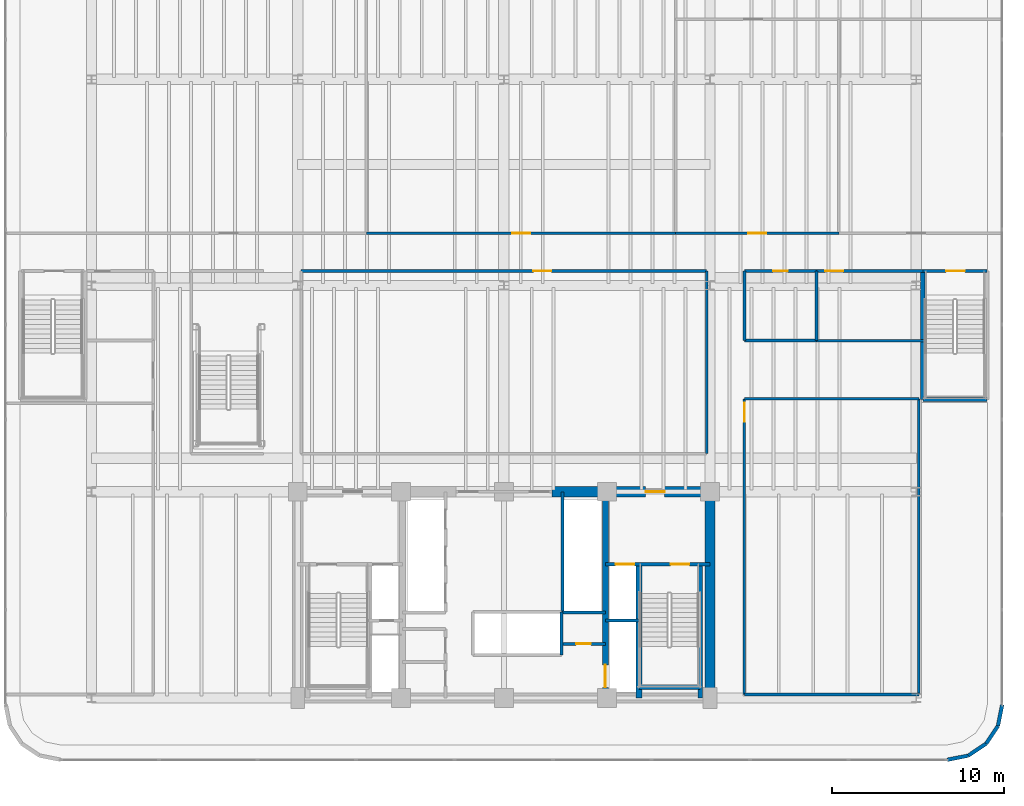
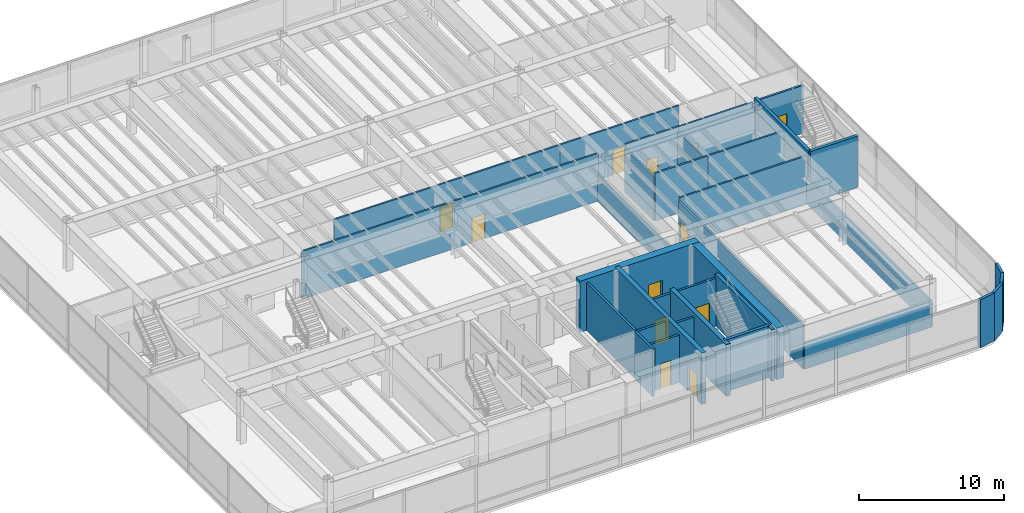
# One storey, part 14 of 19: 33 walls, 12 doors, 12 openings.
"""IFC4 building model written with IfcOpenShell, lengths in metres."""

from ifc_helpers import new_model, si_unit, direction, frame, frame_2d, origin, origin_2d, place, context, subcontext, project, spatial, rectangle, extrude, source, transform, mapped, material, layer, layer_set, type_object, element, fill, save


model = new_model("IFC4")

# Units and contexts
model_context = context("Model", 3, precision=1e-05, world=origin(), true_north=direction((0.0, 1.0)))
body_context = subcontext(model_context, "Body", "Model", "MODEL_VIEW")
ifc_project = project(units=[si_unit("LENGTHUNIT", "METRE"), si_unit("AREAUNIT", "SQUARE_METRE"), si_unit("VOLUMEUNIT", "CUBIC_METRE"), si_unit("PLANEANGLEUNIT", "RADIAN"), si_unit("MASSUNIT", "GRAM", prefix="KILO")], contexts=[model_context])

# Site, building, storey
site_placement = place(None, origin())
site = spatial("IfcSite", under=ifc_project, at=site_placement, CompositionType="ELEMENT")
building_placement = place(site_placement, origin())
building = spatial("IfcBuilding", under=site, at=building_placement, Name="Brelvock Crest Care Tower", CompositionType="ELEMENT")
storey_placement = place(building_placement, frame((0.0, 0.0, 18.360107421875)))
storey = spatial("IfcBuildingStorey", under=building, at=storey_placement, Name="L04", CompositionType="ELEMENT", Elevation=18.360107421875)

# Wall
ifc_material_1 = material(Name="Concrete S80 (80 MPa)", Category="concrete")
ifc_layer_1 = layer(ifc_material_1, 0.60009765625, Name="WL-CS1")
ifc_layer_set_1 = layer_set([ifc_layer_1], Name="Concrete S80 (80 MPa)")
wall_type_1 = type_object("IfcWallType", Name="WL-CS1", PredefinedType="SHEAR", material=ifc_layer_set_1)
wall_1_placement = place(storey_placement, frame((48.0, 18.0, 0.0), z_axis=(0.0, 0.0, 1.0), x_axis=(0.0, -1.0, 0.0)))
element("IfcWall", 1, at=wall_1_placement, inside=storey, type_object=wall_type_1, Name="L04 Core East Shear Wall", PredefinedType="SHEAR", context=body_context, shape_type="SweptSolid", body=[
    extrude(rectangle(XDim=12.0, YDim=0.60009765625, at=frame_2d((6.0, 0.0))), origin(), (0.0, 0.0, 1.0), 4.31982421875),
])

# Wall, opening, door
wall_2_placement = place(storey_placement, frame((38.800048828125, 18.0, 0.0), z_axis=(0.0, 0.0, 1.0), x_axis=(1.0, 0.0, 0.0)))
wall_2 = element("IfcWall", 2, at=wall_2_placement, inside=storey, type_object=wall_type_1, Name="L04 Core North-East Shear Wall", PredefinedType="SHEAR", context=body_context, shape_type="SweptSolid", body=[
    extrude(rectangle(XDim=9.5, YDim=0.60009765625, at=frame_2d((4.75, 0.0))), origin(), (0.0, 0.0, 1.0), 4.31982421875),
])
opening_1_placement = place(wall_2_placement, frame((5.449951171875, 0.0, 0.0)))
opening_1 = element("IfcOpeningElement", 3, at=opening_1_placement, cuts=wall_2, Name="Opening FD-1", PredefinedType="OPENING", context=body_context, shape_type="SweptSolid", body=[
    extrude(rectangle(XDim=1.10009765625, YDim=2.10009765625, at=origin_2d()), frame((0.550048828125, 0.31005859375, 1.050048828125), z_axis=(0.0, -1.0, 0.0), x_axis=(1.0, 0.0, 0.0)), (0.0, 0.0, 1.0), 0.6201171875),
])
ifc_material_2 = material(Name="Steel Grade 350", Category="steel")
door_type_1 = type_object("IfcDoorType", Name="DR-FFL1", OperationType="NOTDEFINED", PredefinedType="DOOR", material=ifc_material_2)
shared_shape_1 = source(origin(), body_context, "Body", "SweptSolid", [
    extrude(rectangle(XDim=1.10009765625, YDim=2.10009765625, at=origin_2d()), frame((0.550048828125, 0.02490234375, 1.050048828125), z_axis=(0.0, -1.0, 0.0), x_axis=(1.0, 0.0, 0.0)), (0.0, 0.0, 1.0), 0.050048828125),
])
door_1_placement = place(opening_1_placement, origin())
door_1 = element("IfcDoor", 4, at=door_1_placement, inside=storey, type_object=door_type_1, Name="L04 Firefighting Lobby FFL-2 Exit Door", OperationType="SINGLE_SWING_RIGHT", OverallHeight=2.10009765625, OverallWidth=1.10009765625, PredefinedType="DOOR", context=body_context, shape_type="MappedRepresentation", body=[
    mapped(shared_shape_1, transform((0.0, 0.0, 0.0), x_axis=(1.0, 0.0, 0.0), y_axis=(0.0, 1.0, 0.0), z_axis=(0.0, 0.0, 1.0), scale=1.0)),
])
fill(opening_1, door_1)

ifc_layer_2 = layer(ifc_material_1, 0.35009765625, Name="WL-CS5")
ifc_layer_set_2 = layer_set([ifc_layer_2], Name="Concrete S80 (80 MPa)")
wall_type_2 = type_object("IfcWallType", Name="WL-CS5", PredefinedType="SHEAR", material=ifc_layer_set_2)
wall_3_placement = place(storey_placement, frame((41.89990234375, 18.0, 0.0), z_axis=(0.0, 0.0, 1.0), x_axis=(0.0, -1.0, 0.0)))
wall_3 = element("IfcWall", 5, at=wall_3_placement, inside=storey, type_object=wall_type_2, Name="L04 Core Internal Web Wall East", PredefinedType="SHEAR", context=body_context, shape_type="SweptSolid", body=[
    extrude(rectangle(XDim=12.0, YDim=0.35009765625, at=frame_2d((6.0, 0.0))), origin(), (0.0, 0.0, 1.0), 4.31982421875),
])
opening_2_placement = place(wall_3_placement, frame((10.080078125, 0.0, 0.0)))
opening_2 = element("IfcOpeningElement", 6, at=opening_2_placement, cuts=wall_3, Name="Opening LD-S", PredefinedType="OPENING", context=body_context, shape_type="SweptSolid", body=[
    extrude(rectangle(XDim=1.300048828125, YDim=2.10009765625, at=origin_2d()), frame((0.64990234375, 0.18505859375, 1.050048828125), z_axis=(0.0, -1.0, 0.0), x_axis=(1.0, 0.0, 0.0)), (0.0, 0.0, 1.0), 0.3701171875),
])
door_type_2 = type_object("IfcDoorType", Name="DR-LDS1", OperationType="NOTDEFINED", PredefinedType="DOOR", material=ifc_material_2)
shared_shape_2 = source(origin(), body_context, "Body", "SweptSolid", [
    extrude(rectangle(XDim=1.300048828125, YDim=2.10009765625, at=origin_2d()), frame((0.64990234375, 0.02490234375, 1.050048828125), z_axis=(0.0, -1.0, 0.0), x_axis=(1.0, 0.0, 0.0)), (0.0, 0.0, 1.0), 0.050048828125),
])
door_2_placement = place(opening_2_placement, origin())
door_2 = element("IfcDoor", 7, at=door_2_placement, inside=storey, type_object=door_type_2, Name="L04 Clinical Bed Lift SL-1 Landing Door", OperationType="SLIDING_TO_LEFT", OverallHeight=2.10009765625, OverallWidth=1.300048828125, PredefinedType="DOOR", context=body_context, shape_type="MappedRepresentation", body=[
    mapped(shared_shape_2, transform((0.0, 0.0, 0.0), x_axis=(1.0, 0.0, 0.0), y_axis=(0.0, 1.0, 0.0), z_axis=(0.0, 0.0, 1.0), scale=1.0)),
])
fill(opening_2, door_2)

# Walls
wall_4_placement = place(storey_placement, frame((43.85009765625, 6.0, 0.0), z_axis=(0.0, 0.0, 1.0), x_axis=(0.0, 1.0, 0.0)))
element("IfcWall", 8, at=wall_4_placement, inside=storey, type_object=wall_type_2, Name="L04 Core Stair ST-2 West Shear Wall", PredefinedType="SHEAR", context=body_context, shape_type="SweptSolid", body=[
    extrude(rectangle(XDim=7.780029296875, YDim=0.35009765625, at=frame_2d((3.89013671875, 0.0))), origin(), (0.0, 0.0, 1.0), 4.35986328125),
])
ifc_layer_3 = layer(ifc_material_1, 0.25, Name="WL-CS6")
ifc_layer_set_3 = layer_set([ifc_layer_3], Name="Concrete S80 (80 MPa)")
wall_type_3 = type_object("IfcWallType", Name="WL-CS6", PredefinedType="SHEAR", material=ifc_layer_set_3)
wall_5_placement = place(storey_placement, frame((60.3798828125, 23.3798828125, 0.0), z_axis=(0.0, 0.0, 1.0), x_axis=(1.0, 0.0, 0.0)))
element("IfcWall", 9, at=wall_5_placement, inside=storey, type_object=wall_type_3, Name="L04 Podium Stair ST-4 South Shear Wall", PredefinedType="SHEAR", context=body_context, shape_type="SweptSolid", body=[
    extrude(rectangle(XDim=3.740234375, YDim=0.25, at=frame_2d((1.8701171875, 0.0))), origin(), (0.0, 0.0, 1.0), 4.31982421875),
])
wall_6_placement = place(storey_placement, frame((60.3798828125, 23.3798828125, 0.0), z_axis=(0.0, 0.0, 1.0), x_axis=(0.0, 1.0, 0.0)))
element("IfcWall", 10, at=wall_6_placement, inside=storey, type_object=wall_type_3, Name="L04 Podium Stair ST-4 West Shear Wall", PredefinedType="SHEAR", context=body_context, shape_type="SweptSolid", body=[
    extrude(rectangle(XDim=7.47021484375, YDim=0.25, at=frame_2d((3.735107421875, 0.0))), origin(), (0.0, 0.0, 1.0), 4.31982421875),
])
wall_7_placement = place(storey_placement, frame((47.419921875, 6.0, 0.0), z_axis=(0.0, 0.0, 1.0), x_axis=(0.0, 1.0, 0.0)))
element("IfcWall", 11, at=wall_7_placement, inside=storey, type_object=wall_type_3, Name="L04 Core Stair ST-2 East Shear Wall", PredefinedType="SHEAR", context=body_context, shape_type="SweptSolid", body=[
    extrude(rectangle(XDim=7.780029296875, YDim=0.25, at=frame_2d((3.89013671875, 0.0))), origin(), (0.0, 0.0, 1.0), 4.35986328125),
])
wall_8_placement = place(storey_placement, frame((43.85009765625, 6.6201171875, 0.0), z_axis=(0.0, 0.0, 1.0), x_axis=(1.0, 0.0, 0.0)))
element("IfcWall", 12, at=wall_8_placement, inside=storey, type_object=wall_type_3, Name="L04 Core Stair ST-2 South Shear Wall", PredefinedType="SHEAR", context=body_context, shape_type="SweptSolid", body=[
    extrude(rectangle(XDim=3.56982421875, YDim=0.25, at=frame_2d((1.784912109375, 0.0))), origin(), (0.0, 0.0, 1.0), 4.35986328125),
])
ifc_material_3 = material(Name="Precast concrete N40 (40 MPa)", Category="concrete")
ifc_layer_4 = layer(ifc_material_3, 0.215087890625, Name="WL-EX2")
ifc_layer_set_4 = layer_set([ifc_layer_4], Name="Precast concrete N40 (40 MPa)")
wall_type_4 = type_object("IfcWallType", Name="WL-EX2", PredefinedType="SOLIDWALL", material=ifc_layer_set_4)
for number, where, z_axis, x_axis, name in (
    (13, (65.0, 5.60009765625, 0.0), (0.0, 0.0, 1.0), (-0.195138390419, -0.980775717779, 0.0), "L04 Rounded Corner Wall 15"),
    (14, (64.75634765625, 4.37548828125, 0.0), (0.0, 0.0, 1.0), (-0.555557312883, -0.831478245117, 0.0), "L04 Rounded Corner Wall 16"),
    (15, (64.062744140625, 3.33740234375, 0.0), (0.0, 0.0, 1.0), (-0.831387912822, -0.555692485475, 0.0), "L04 Rounded Corner Wall 17"),
    (16, (63.024658203125, 2.6435546875, 0.0), (0.0, 0.0, 1.0), (-0.980775717779, -0.195138390419, 0.0), "L04 Rounded Corner Wall 18"),
):
    element("IfcWall", number, at=place(storey_placement, frame(where, z_axis=z_axis, x_axis=x_axis)), inside=storey, type_object=wall_type_4, Name=name, PredefinedType="SOLIDWALL", context=body_context, shape_type="SweptSolid", body=[
        extrude(rectangle(XDim=1.24853515625, YDim=0.215087890625, at=frame_2d((0.624267578125, 0.0))), origin(), (0.0, 0.0, 1.0), 4.039794921875),
    ])
ifc_material_4 = material(Name="Masonry Blockwork Acoustic Partition", Category="masonry")
ifc_layer_5 = layer(ifc_material_4, 0.14990234375, Name="WL-INT1")
ifc_layer_set_5 = layer_set([ifc_layer_5], Name="Masonry Blockwork Acoustic Partition")
wall_type_5 = type_object("IfcWallType", Name="WL-INT1", PredefinedType="PARTITIONING", material=ifc_layer_set_5)
wall_9_placement = place(storey_placement, frame((50.0, 6.199951171875, 0.0), z_axis=(0.0, 0.0, 1.0), x_axis=(1.0, 0.0, 0.0)))
element("IfcWall", 17, at=wall_9_placement, inside=storey, type_object=wall_type_5, Name="L04 Interior Wall WL-BX-L04-KIT-S", PredefinedType="PARTITIONING", context=body_context, shape_type="SweptSolid", body=[
    extrude(rectangle(XDim=10.14990234375, YDim=0.14990234375, at=frame_2d((5.074951171875, 0.0))), origin(), (0.0, 0.0, 1.0), 2.224853515625),
])
wall_10_placement = place(storey_placement, frame((50.0, 23.409912109375, 0.0), z_axis=(0.0, 0.0, 1.0), x_axis=(1.0, 0.0, 0.0)))
element("IfcWall", 18, at=wall_10_placement, inside=storey, type_object=wall_type_5, Name="L04 Interior Wall WL-BX-L04-KIT-N", PredefinedType="PARTITIONING", context=body_context, shape_type="SweptSolid", body=[
    extrude(rectangle(XDim=10.14990234375, YDim=0.14990234375, at=frame_2d((5.074951171875, 0.0))), origin(), (0.0, 0.0, 1.0), 4.010009765625),
])
wall_11_placement = place(storey_placement, frame((54.199951171875, 26.800048828125, 0.0), z_axis=(0.0, 0.0, 1.0), x_axis=(1.0, 0.0, 0.0)))
element("IfcWall", 19, at=wall_11_placement, inside=storey, type_object=wall_type_5, Name="L04 Interior Wall WL-BX-L04-OFFW-S", PredefinedType="PARTITIONING", context=body_context, shape_type="SweptSolid", body=[
    extrude(rectangle(XDim=6.25, YDim=0.14990234375, at=frame_2d((3.125, 0.0))), origin(), (0.0, 0.0, 1.0), 4.010009765625),
])

# Wall, opening, door
wall_12_placement = place(storey_placement, frame((24.199951171875, 30.85009765625, 0.0), z_axis=(0.0, 0.0, 1.0), x_axis=(1.0, 0.0, 0.0)))
wall_12 = element("IfcWall", 20, at=wall_12_placement, inside=storey, type_object=wall_type_5, Name="L04 Interior Wall WL-RM-L04-DIN", PredefinedType="PARTITIONING", context=body_context, shape_type="SweptSolid", body=[
    extrude(rectangle(XDim=23.60009765625, YDim=0.14990234375, at=frame_2d((11.800048828125, 0.0))), origin(), (0.0, 0.0, 1.0), 4.010009765625),
])
opening_3_placement = place(wall_12_placement, frame((13.514892578125, 0.0, 0.0)))
opening_3 = element("IfcOpeningElement", 21, at=opening_3_placement, cuts=wall_12, Name="Opening CLD-1", PredefinedType="OPENING", context=body_context, shape_type="SweptSolid", body=[
    extrude(rectangle(XDim=1.050048828125, YDim=2.10009765625, at=origin_2d()), frame((0.52490234375, 0.0849609375, 1.050048828125), z_axis=(0.0, -1.0, 0.0), x_axis=(1.0, 0.0, 0.0)), (0.0, 0.0, 1.0), 0.169921875),
])
ifc_material_5 = material(Name="Engineered Hardwood Timber", Category="wood")
door_type_3 = type_object("IfcDoorType", Name="DR-CLN1", OperationType="NOTDEFINED", PredefinedType="DOOR", material=ifc_material_5)
shared_shape_3 = source(origin(), body_context, "Body", "SweptSolid", [
    extrude(rectangle(XDim=1.050048828125, YDim=2.10009765625, at=origin_2d()), frame((0.52490234375, 0.02490234375, 1.050048828125), z_axis=(0.0, -1.0, 0.0), x_axis=(1.0, 0.0, 0.0)), (0.0, 0.0, 1.0), 0.050048828125),
])
door_3_placement = place(opening_3_placement, origin())
door_3 = element("IfcDoor", 22, at=door_3_placement, inside=storey, type_object=door_type_3, Name="L04 Podium Garden Dining Salon Door DIN", OperationType="SINGLE_SWING_LEFT", OverallHeight=2.10009765625, OverallWidth=1.050048828125, PredefinedType="DOOR", context=body_context, shape_type="MappedRepresentation", body=[
    mapped(shared_shape_3, transform((0.0, 0.0, 0.0), x_axis=(1.0, 0.0, 0.0), y_axis=(0.0, 1.0, 0.0), z_axis=(0.0, 0.0, 1.0), scale=1.0)),
])
fill(opening_3, door_3)

wall_13_placement = place(storey_placement, frame((54.199951171875, 30.85009765625, 0.0), z_axis=(0.0, 0.0, 1.0), x_axis=(1.0, 0.0, 0.0)))
wall_13 = element("IfcWall", 23, at=wall_13_placement, inside=storey, type_object=wall_type_5, Name="L04 Interior Wall WL-RM-L04-OFFW", PredefinedType="PARTITIONING", context=body_context, shape_type="SweptSolid", body=[
    extrude(rectangle(XDim=6.25, YDim=0.14990234375, at=frame_2d((3.125, 0.0))), origin(), (0.0, 0.0, 1.0), 4.010009765625),
])
opening_4_placement = place(wall_13_placement, frame((0.4951171875, 0.0, 0.0)))
opening_4 = element("IfcOpeningElement", 24, at=opening_4_placement, cuts=wall_13, Name="Opening CLD-1", PredefinedType="OPENING", context=body_context, shape_type="SweptSolid", body=[
    extrude(rectangle(XDim=1.050048828125, YDim=2.10009765625, at=origin_2d()), frame((0.52490234375, 0.0849609375, 1.050048828125), z_axis=(0.0, -1.0, 0.0), x_axis=(1.0, 0.0, 0.0)), (0.0, 0.0, 1.0), 0.169921875),
])
door_4_placement = place(opening_4_placement, origin())
door_4 = element("IfcDoor", 25, at=door_4_placement, inside=storey, type_object=door_type_3, Name="L04 Hydrotherapy Therapist Office Door OFFW", OperationType="SINGLE_SWING_LEFT", OverallHeight=2.10009765625, OverallWidth=1.050048828125, PredefinedType="DOOR", context=body_context, shape_type="MappedRepresentation", body=[
    mapped(shared_shape_3, transform((0.0, 0.0, 0.0), x_axis=(1.0, 0.0, 0.0), y_axis=(0.0, 1.0, 0.0), z_axis=(0.0, 0.0, 1.0), scale=1.0)),
])
fill(opening_4, door_4)

wall_14_placement = place(storey_placement, frame((28.0, 33.050048828125, 0.0), z_axis=(0.0, 0.0, 1.0), x_axis=(1.0, 0.0, 0.0)))
wall_14 = element("IfcWall", 26, at=wall_14_placement, inside=storey, type_object=wall_type_5, Name="L04 Interior Wall WL-RM-L04-GYM", PredefinedType="PARTITIONING", context=body_context, shape_type="SweptSolid", body=[
    extrude(rectangle(XDim=18.0, YDim=0.14990234375, at=frame_2d((9.0, 0.0))), origin(), (0.0, 0.0, 1.0), 4.010009765625),
])
opening_5_placement = place(wall_14_placement, frame((8.47509765625, 0.0, 0.0)))
opening_5 = element("IfcOpeningElement", 27, at=opening_5_placement, cuts=wall_14, Name="Opening CLD-1", PredefinedType="OPENING", context=body_context, shape_type="SweptSolid", body=[
    extrude(rectangle(XDim=1.050048828125, YDim=2.10009765625, at=origin_2d()), frame((0.52490234375, 0.0849609375, 1.050048828125), z_axis=(0.0, -1.0, 0.0), x_axis=(1.0, 0.0, 0.0)), (0.0, 0.0, 1.0), 0.169921875),
])
door_5_placement = place(opening_5_placement, origin())
door_5 = element("IfcDoor", 28, at=door_5_placement, inside=storey, type_object=door_type_3, Name="L04 Gait and Balance Rehab Gym Door GYM", OperationType="SINGLE_SWING_LEFT", OverallHeight=2.10009765625, OverallWidth=1.050048828125, PredefinedType="DOOR", context=body_context, shape_type="MappedRepresentation", body=[
    mapped(shared_shape_3, transform((0.0, 0.0, 0.0), x_axis=(1.0, 0.0, 0.0), y_axis=(0.0, 1.0, 0.0), z_axis=(0.0, 0.0, 1.0), scale=1.0)),
])
fill(opening_5, door_5)

wall_15_placement = place(storey_placement, frame((46.0, 33.050048828125, 0.0), z_axis=(0.0, 0.0, 1.0), x_axis=(1.0, 0.0, 0.0)))
wall_15 = element("IfcWall", 29, at=wall_15_placement, inside=storey, type_object=wall_type_5, Name="L04 Interior Wall WL-RM-L04-OCC1", PredefinedType="PARTITIONING", context=body_context, shape_type="SweptSolid", body=[
    extrude(rectangle(XDim=9.5, YDim=0.14990234375, at=frame_2d((4.75, 0.0))), origin(), (0.0, 0.0, 1.0), 4.010009765625),
])
opening_6_placement = place(wall_15_placement, frame((4.22509765625, 0.0, 0.0)))
opening_6 = element("IfcOpeningElement", 30, at=opening_6_placement, cuts=wall_15, Name="Opening CLD-1", PredefinedType="OPENING", context=body_context, shape_type="SweptSolid", body=[
    extrude(rectangle(XDim=1.050048828125, YDim=2.10009765625, at=origin_2d()), frame((0.52490234375, 0.0849609375, 1.050048828125), z_axis=(0.0, -1.0, 0.0), x_axis=(1.0, 0.0, 0.0)), (0.0, 0.0, 1.0), 0.169921875),
])
door_6_placement = place(opening_6_placement, origin())
door_6 = element("IfcDoor", 31, at=door_6_placement, inside=storey, type_object=door_type_3, Name="L04 Occupational Living Lab South Door OCC1", OperationType="SINGLE_SWING_LEFT", OverallHeight=2.10009765625, OverallWidth=1.050048828125, PredefinedType="DOOR", context=body_context, shape_type="MappedRepresentation", body=[
    mapped(shared_shape_3, transform((0.0, 0.0, 0.0), x_axis=(1.0, 0.0, 0.0), y_axis=(0.0, 1.0, 0.0), z_axis=(0.0, 0.0, 1.0), scale=1.0)),
])
fill(opening_6, door_6)

# Wall
wall_16_placement = place(storey_placement, frame((47.800048828125, 20.219970703125, 0.0), z_axis=(0.0, 0.0, 1.0), x_axis=(0.0, 1.0, 0.0)))
element("IfcWall", 32, at=wall_16_placement, inside=storey, type_object=wall_type_5, Name="L04 Interior Wall WL-BX-L04-DIN-E", PredefinedType="PARTITIONING", context=body_context, shape_type="SweptSolid", body=[
    extrude(rectangle(XDim=10.630126953125, YDim=0.14990234375, at=frame_2d((5.31494140625, 0.0))), origin(), (0.0, 0.0, 1.0), 2.224853515625),
])

# Wall, opening, door
wall_17_placement = place(storey_placement, frame((50.0, 6.199951171875, 0.0), z_axis=(0.0, 0.0, 1.0), x_axis=(0.0, 1.0, 0.0)))
wall_17 = element("IfcWall", 33, at=wall_17_placement, inside=storey, type_object=wall_type_5, Name="L04 Interior Wall WL-RM-L04-KIT", PredefinedType="PARTITIONING", context=body_context, shape_type="SweptSolid", body=[
    extrude(rectangle(XDim=17.2099609375, YDim=0.14990234375, at=frame_2d((8.60498046875, 0.0))), origin(), (0.0, 0.0, 1.0), 3.7177734375),
])
opening_7_placement = place(wall_17_placement, frame((15.889892578125, 0.0, 0.0)))
opening_7 = element("IfcOpeningElement", 34, at=opening_7_placement, cuts=wall_17, Name="Opening PD-1", PredefinedType="OPENING", context=body_context, shape_type="SweptSolid", body=[
    extrude(rectangle(XDim=1.10009765625, YDim=2.10009765625, at=origin_2d()), frame((0.550048828125, 0.0849609375, 1.050048828125), z_axis=(0.0, -1.0, 0.0), x_axis=(1.0, 0.0, 0.0)), (0.0, 0.0, 1.0), 0.169921875),
])
door_type_4 = type_object("IfcDoorType", Name="DR-PLT1", OperationType="NOTDEFINED", PredefinedType="DOOR", material=ifc_material_2)
shared_shape_4 = source(origin(), body_context, "Body", "SweptSolid", [
    extrude(rectangle(XDim=1.10009765625, YDim=2.10009765625, at=origin_2d()), frame((0.550048828125, 0.02490234375, 1.050048828125), z_axis=(0.0, -1.0, 0.0), x_axis=(1.0, 0.0, 0.0)), (0.0, 0.0, 1.0), 0.050048828125),
])
door_7_placement = place(opening_7_placement, origin())
door_7 = element("IfcDoor", 35, at=door_7_placement, inside=storey, type_object=door_type_4, Name="L04 Central Catering Production Door KIT", OperationType="SINGLE_SWING_LEFT", OverallHeight=2.10009765625, OverallWidth=1.10009765625, PredefinedType="DOOR", context=body_context, shape_type="MappedRepresentation", body=[
    mapped(shared_shape_4, transform((0.0, 0.0, 0.0), x_axis=(1.0, 0.0, 0.0), y_axis=(0.0, 1.0, 0.0), z_axis=(0.0, 0.0, 1.0), scale=1.0)),
])
fill(opening_7, door_7)

# Walls
wall_18_placement = place(storey_placement, frame((60.14990234375, 6.199951171875, 0.0), z_axis=(0.0, 0.0, 1.0), x_axis=(0.0, 1.0, 0.0)))
element("IfcWall", 36, at=wall_18_placement, inside=storey, type_object=wall_type_5, Name="L04 Interior Wall WL-BX-L04-KIT-E", PredefinedType="PARTITIONING", context=body_context, shape_type="SweptSolid", body=[
    extrude(rectangle(XDim=17.2099609375, YDim=0.14990234375, at=frame_2d((8.60498046875, 0.0))), origin(), (0.0, 0.0, 1.0), 2.224853515625),
])
ifc_material_6 = material(Name="Gypsum Plasterboard Partition", Category="gypsum")
ifc_layer_6 = layer(ifc_material_6, 0.159912109375, Name="WL-PLM1")
ifc_layer_set_6 = layer_set([ifc_layer_6], Name="Gypsum Plasterboard Partition")
wall_type_6 = type_object("IfcWallType", Name="WL-PLM1", PredefinedType="PLUMBINGWALL", material=ifc_layer_set_6)
wall_19_placement = place(storey_placement, frame((50.0, 26.800048828125, 0.0), z_axis=(0.0, 0.0, 1.0), x_axis=(1.0, 0.0, 0.0)))
element("IfcWall", 37, at=wall_19_placement, inside=storey, type_object=wall_type_6, Name="L04 Interior Wall WL-BX-L04-SWC-S", PredefinedType="PLUMBINGWALL", context=body_context, shape_type="SweptSolid", body=[
    extrude(rectangle(XDim=4.199951171875, YDim=0.159912109375, at=frame_2d((2.10009765625, 0.0))), origin(), (0.0, 0.0, 1.0), 4.010009765625),
])

# Wall, opening, door
wall_20_placement = place(storey_placement, frame((50.0, 30.85009765625, 0.0), z_axis=(0.0, 0.0, 1.0), x_axis=(1.0, 0.0, 0.0)))
wall_20 = element("IfcWall", 38, at=wall_20_placement, inside=storey, type_object=wall_type_6, Name="L04 Interior Wall WL-RM-L04-SWC", PredefinedType="PLUMBINGWALL", context=body_context, shape_type="SweptSolid", body=[
    extrude(rectangle(XDim=4.199951171875, YDim=0.159912109375, at=frame_2d((2.10009765625, 0.0))), origin(), (0.0, 0.0, 1.0), 4.010009765625),
])
opening_8_placement = place(wall_20_placement, frame((1.669921875, 0.0, 0.0)))
opening_8 = element("IfcOpeningElement", 39, at=opening_8_placement, cuts=wall_20, Name="Opening WD-1", PredefinedType="OPENING", context=body_context, shape_type="SweptSolid", body=[
    extrude(rectangle(XDim=0.860107421875, YDim=2.10009765625, at=origin_2d()), frame((0.43017578125, 0.08984375, 1.050048828125), z_axis=(0.0, -1.0, 0.0), x_axis=(1.0, 0.0, 0.0)), (0.0, 0.0, 1.0), 0.179931640625),
])
door_type_5 = type_object("IfcDoorType", Name="DR-WC1", OperationType="NOTDEFINED", PredefinedType="DOOR", material=ifc_material_5)
shared_shape_5 = source(origin(), body_context, "Body", "SweptSolid", [
    extrude(rectangle(XDim=0.860107421875, YDim=2.10009765625, at=origin_2d()), frame((0.43017578125, 0.02490234375, 1.050048828125), z_axis=(0.0, -1.0, 0.0), x_axis=(1.0, 0.0, 0.0)), (0.0, 0.0, 1.0), 0.050048828125),
])
door_8_placement = place(opening_8_placement, origin())
door_8 = element("IfcDoor", 40, at=door_8_placement, inside=storey, type_object=door_type_5, Name="L04 Wellness Accessible WC Door SWC", OperationType="SINGLE_SWING_LEFT", OverallHeight=2.10009765625, OverallWidth=0.860107421875, PredefinedType="DOOR", context=body_context, shape_type="MappedRepresentation", body=[
    mapped(shared_shape_5, transform((0.0, 0.0, 0.0), x_axis=(1.0, 0.0, 0.0), y_axis=(0.0, 1.0, 0.0), z_axis=(0.0, 0.0, 1.0), scale=1.0)),
])
fill(opening_8, door_8)

# Walls
for number, where, z_axis, x_axis, name in (
    (41, (50.0, 26.800048828125, 0.0), (0.0, 0.0, 1.0), (0.0, 1.0, 0.0), "L04 Interior Wall WL-BX-L04-SWC-W"),
    (42, (54.199951171875, 26.800048828125, 0.0), (0.0, 0.0, 1.0), (0.0, 1.0, 0.0), "L04 Interior Wall WL-BX-L04-OFFW-W"),
):
    element("IfcWall", number, at=place(storey_placement, frame(where, z_axis=z_axis, x_axis=x_axis)), inside=storey, type_object=wall_type_6, Name=name, PredefinedType="PLUMBINGWALL", context=body_context, shape_type="SweptSolid", body=[
        extrude(rectangle(XDim=4.050048828125, YDim=0.159912109375, at=frame_2d((2.02490234375, 0.0))), origin(), (0.0, 0.0, 1.0), 3.665771484375),
    ])

# Wall, opening, door
ifc_layer_7 = layer(ifc_material_4, 0.179931640625, Name="WL-SHF1")
ifc_layer_set_7 = layer_set([ifc_layer_7], Name="Masonry Blockwork Acoustic Partition")
wall_type_7 = type_object("IfcWallType", Name="WL-SHF1", PredefinedType="PARTITIONING", material=ifc_layer_set_7)
wall_21_placement = place(storey_placement, frame((60.3798828125, 30.85009765625, 0.0), z_axis=(0.0, 0.0, 1.0), x_axis=(1.0, 0.0, 0.0)))
wall_21 = element("IfcWall", 43, at=wall_21_placement, inside=storey, type_object=wall_type_7, Name="L04 Interior Wall WL-ST4-N-L04", PredefinedType="PARTITIONING", context=body_context, shape_type="SweptSolid", body=[
    extrude(rectangle(XDim=3.740234375, YDim=0.179931640625, at=frame_2d((1.8701171875, 0.0))), origin(), (0.0, 0.0, 1.0), 4.039794921875),
])
opening_9_placement = place(wall_21_placement, frame((1.35009765625, 0.0, 0.0)))
opening_9 = element("IfcOpeningElement", 44, at=opening_9_placement, cuts=wall_21, Name="Opening SD-1", PredefinedType="OPENING", context=body_context, shape_type="SweptSolid", body=[
    extrude(rectangle(XDim=1.10009765625, YDim=2.10009765625, at=origin_2d()), frame((0.550048828125, 0.10009765625, 1.050048828125), z_axis=(0.0, -1.0, 0.0), x_axis=(1.0, 0.0, 0.0)), (0.0, 0.0, 1.0), 0.199951171875),
])
door_type_6 = type_object("IfcDoorType", Name="DR-ST1", OperationType="NOTDEFINED", PredefinedType="DOOR", material=ifc_material_2)
shared_shape_6 = source(origin(), body_context, "Body", "SweptSolid", [
    extrude(rectangle(XDim=1.10009765625, YDim=2.10009765625, at=origin_2d()), frame((0.550048828125, 0.02490234375, 1.050048828125), z_axis=(0.0, -1.0, 0.0), x_axis=(1.0, 0.0, 0.0)), (0.0, 0.0, 1.0), 0.050048828125),
])
door_9_placement = place(opening_9_placement, origin())
door_9 = element("IfcDoor", 45, at=door_9_placement, inside=storey, type_object=door_type_6, Name="L04 Podium Stair ST-4 Door", OperationType="SINGLE_SWING_RIGHT", OverallHeight=2.10009765625, OverallWidth=1.10009765625, PredefinedType="DOOR", context=body_context, shape_type="MappedRepresentation", body=[
    mapped(shared_shape_6, transform((0.0, 0.0, 0.0), x_axis=(1.0, 0.0, 0.0), y_axis=(0.0, 1.0, 0.0), z_axis=(0.0, 0.0, 1.0), scale=1.0)),
])
fill(opening_9, door_9)

# Walls
wall_22_placement = place(storey_placement, frame((39.35009765625, 8.5, 0.0), z_axis=(0.0, 0.0, 1.0), x_axis=(0.0, 1.0, 0.0)))
element("IfcWall", 46, at=wall_22_placement, inside=storey, type_object=wall_type_7, Name="L04 Interior Wall WL-PLM-E-L04", PredefinedType="PARTITIONING", context=body_context, shape_type="SweptSolid", body=[
    extrude(rectangle(XDim=2.5, YDim=0.179931640625, at=frame_2d((1.25, 0.0))), origin(), (0.0, 0.0, 1.0), 4.010009765625),
])
wall_23_placement = place(storey_placement, frame((39.39990234375, 11.0, 0.0), z_axis=(0.0, 0.0, 1.0), x_axis=(0.0, 1.0, 0.0)))
element("IfcWall", 47, at=wall_23_placement, inside=storey, type_object=wall_type_7, Name="L04 Interior Wall WL-PLH-SHF-L04", PredefinedType="PARTITIONING", context=body_context, shape_type="SweptSolid", body=[
    extrude(rectangle(XDim=7.0, YDim=0.179931640625, at=frame_2d((3.5, 0.0))), origin(), (0.0, 0.0, 1.0), 4.010009765625),
])
wall_24_placement = place(storey_placement, frame((39.35009765625, 10.97998046875, 0.0), z_axis=(0.0, 0.0, 1.0), x_axis=(1.0, 0.0, 0.0)))
element("IfcWall", 48, at=wall_24_placement, inside=storey, type_object=wall_type_7, Name="L04 Interior Wall WL-CSBE-N-L04", PredefinedType="PARTITIONING", context=body_context, shape_type="SweptSolid", body=[
    extrude(rectangle(XDim=2.5498046875, YDim=0.179931640625, at=frame_2d((1.27490234375, 0.0))), origin(), (0.0, 0.0, 1.0), 4.010009765625),
])

# Wall, opening, door
wall_25_placement = place(storey_placement, frame((39.35009765625, 9.14990234375, 0.0), z_axis=(0.0, 0.0, 1.0), x_axis=(1.0, 0.0, 0.0)))
wall_25 = element("IfcWall", 49, at=wall_25_placement, inside=storey, type_object=wall_type_7, Name="L04 Interior Wall WL-CSBE-S-L04", PredefinedType="PARTITIONING", context=body_context, shape_type="SweptSolid", body=[
    extrude(rectangle(XDim=2.5498046875, YDim=0.179931640625, at=frame_2d((1.27490234375, 0.0))), origin(), (0.0, 0.0, 1.0), 4.010009765625),
])
opening_10_placement = place(wall_25_placement, frame((0.85009765625, 0.0, 0.0)))
opening_10 = element("IfcOpeningElement", 50, at=opening_10_placement, cuts=wall_25, Name="Opening ID-1", PredefinedType="OPENING", context=body_context, shape_type="SweptSolid", body=[
    extrude(rectangle(XDim=0.860107421875, YDim=2.10009765625, at=origin_2d()), frame((0.43017578125, 0.10009765625, 1.050048828125), z_axis=(0.0, -1.0, 0.0), x_axis=(1.0, 0.0, 0.0)), (0.0, 0.0, 1.0), 0.199951171875),
])
door_type_7 = type_object("IfcDoorType", Name="DR-INT1", OperationType="NOTDEFINED", PredefinedType="DOOR", material=ifc_material_5)
shared_shape_7 = source(origin(), body_context, "Body", "SweptSolid", [
    extrude(rectangle(XDim=0.860107421875, YDim=2.10009765625, at=origin_2d()), frame((0.43017578125, 0.02490234375, 1.050048828125), z_axis=(0.0, -1.0, 0.0), x_axis=(1.0, 0.0, 0.0)), (0.0, 0.0, 1.0), 0.050048828125),
])
door_10_placement = place(opening_10_placement, origin())
door_10 = element("IfcDoor", 51, at=door_10_placement, inside=storey, type_object=door_type_7, Name="DR-CSBE-L04", OperationType="SINGLE_SWING_LEFT", OverallHeight=2.10009765625, OverallWidth=0.860107421875, PredefinedType="DOOR", context=body_context, shape_type="MappedRepresentation", body=[
    mapped(shared_shape_7, transform((0.0, 0.0, 0.0), x_axis=(1.0, 0.0, 0.0), y_axis=(0.0, 1.0, 0.0), z_axis=(0.0, 0.0, 1.0), scale=1.0)),
])
fill(opening_10, door_10)

# Wall, openings, doors
wall_26_placement = place(storey_placement, frame((41.89990234375, 13.780029296875, 0.0), z_axis=(0.0, 0.0, 1.0), x_axis=(1.0, 0.0, 0.0)))
wall_26 = element("IfcWall", 52, at=wall_26_placement, inside=storey, type_object=wall_type_7, Name="L04 Interior Wall WL-ST2-N-L04", PredefinedType="PARTITIONING", context=body_context, shape_type="SweptSolid", body=[
    extrude(rectangle(XDim=6.10009765625, YDim=0.179931640625, at=frame_2d((3.050048828125, 0.0))), origin(), (0.0, 0.0, 1.0), 4.010009765625),
])
opening_11_placement = place(wall_26_placement, frame((0.60009765625, 0.0, 0.0)))
opening_11 = element("IfcOpeningElement", 53, at=opening_11_placement, cuts=wall_26, Name="Opening LD", PredefinedType="OPENING", context=body_context, shape_type="SweptSolid", body=[
    extrude(rectangle(XDim=1.10009765625, YDim=2.10009765625, at=origin_2d()), frame((0.550048828125, 0.10009765625, 1.050048828125), z_axis=(0.0, -1.0, 0.0), x_axis=(1.0, 0.0, 0.0)), (0.0, 0.0, 1.0), 0.199951171875),
])
opening_12_placement = place(wall_26_placement, frame((3.800048828125, 0.0, 0.0)))
opening_12 = element("IfcOpeningElement", 54, at=opening_12_placement, cuts=wall_26, Name="Opening SD-1", PredefinedType="OPENING", context=body_context, shape_type="SweptSolid", body=[
    extrude(rectangle(XDim=1.10009765625, YDim=2.10009765625, at=origin_2d()), frame((0.550048828125, 0.10009765625, 1.050048828125), z_axis=(0.0, -1.0, 0.0), x_axis=(1.0, 0.0, 0.0)), (0.0, 0.0, 1.0), 0.199951171875),
])
door_11_placement = place(opening_12_placement, origin())
door_11 = element("IfcDoor", 55, at=door_11_placement, inside=storey, type_object=door_type_6, Name="L04 Fire Stair ST-2 Door", OperationType="SINGLE_SWING_RIGHT", OverallHeight=2.10009765625, OverallWidth=1.10009765625, PredefinedType="DOOR", context=body_context, shape_type="MappedRepresentation", body=[
    mapped(shared_shape_6, transform((0.0, 0.0, 0.0), x_axis=(1.0, 0.0, 0.0), y_axis=(0.0, 1.0, 0.0), z_axis=(0.0, 0.0, 1.0), scale=1.0)),
])
fill(opening_12, door_11)
door_type_8 = type_object("IfcDoorType", Name="DR-LD1", OperationType="NOTDEFINED", PredefinedType="DOOR", material=ifc_material_2)
shared_shape_8 = source(origin(), body_context, "Body", "SweptSolid", [
    extrude(rectangle(XDim=1.10009765625, YDim=2.10009765625, at=origin_2d()), frame((0.550048828125, 0.02490234375, 1.050048828125), z_axis=(0.0, -1.0, 0.0), x_axis=(1.0, 0.0, 0.0)), (0.0, 0.0, 1.0), 0.050048828125),
])
door_12_placement = place(opening_11_placement, origin())
door_12 = element("IfcDoor", 56, at=door_12_placement, inside=storey, type_object=door_type_8, Name="L04 Firefighting Lift FFL-2 Landing Door", OperationType="SLIDING_TO_RIGHT", OverallHeight=2.10009765625, OverallWidth=1.10009765625, PredefinedType="DOOR", context=body_context, shape_type="MappedRepresentation", body=[
    mapped(shared_shape_8, transform((0.0, 0.0, 0.0), x_axis=(1.0, 0.0, 0.0), y_axis=(0.0, 1.0, 0.0), z_axis=(0.0, 0.0, 1.0), scale=1.0)),
])
fill(opening_11, door_12)

# Wall
wall_27_placement = place(storey_placement, frame((41.89990234375, 10.5, 0.0), z_axis=(0.0, 0.0, 1.0), x_axis=(1.0, 0.0, 0.0)))
element("IfcWall", 57, at=wall_27_placement, inside=storey, type_object=wall_type_7, Name="L04 Interior Wall WL-FFH2-S-L04", PredefinedType="PARTITIONING", context=body_context, shape_type="SweptSolid", body=[
    extrude(rectangle(XDim=1.9501953125, YDim=0.179931640625, at=frame_2d((0.97509765625, 0.0))), origin(), (0.0, 0.0, 1.0), 4.010009765625),
])

save(model, "model.ifc")
